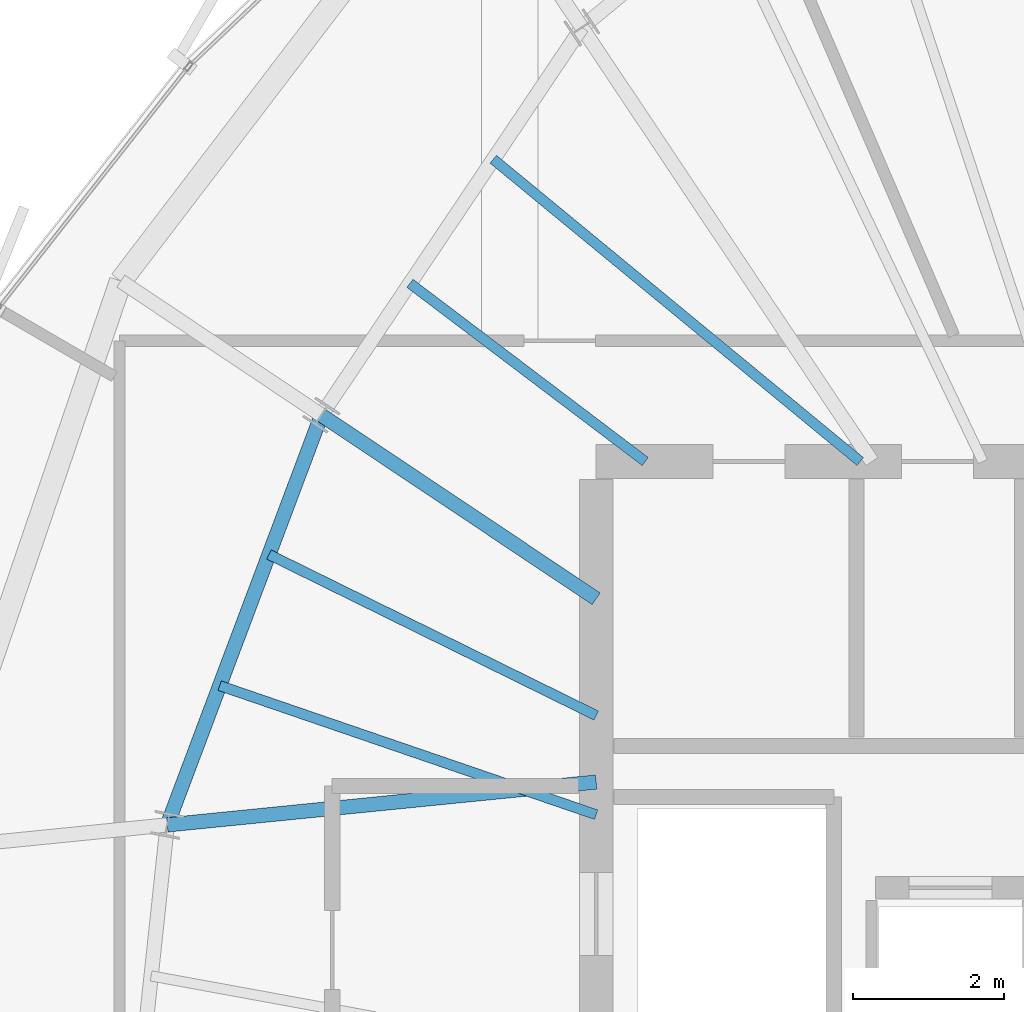
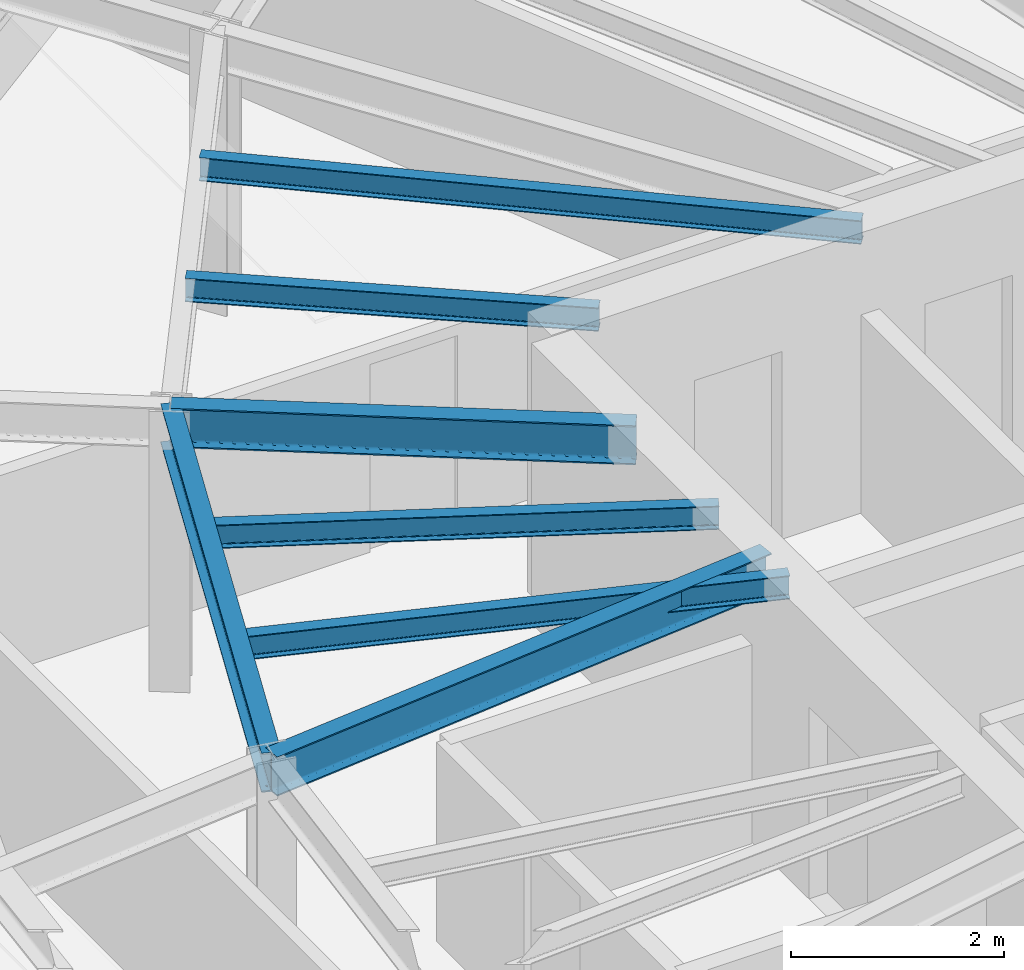
# One storey, part 12 of 36: 7 beams.
"""IFC4 building model written with IfcOpenShell, lengths in metres."""

from ifc_helpers import new_model, si_unit, direction, frame, origin, origin_2d, place, context, subcontext, project, spatial, i_section, extrude, source, transform, mapped, material, material_profile, profile_set, type_object, element, save


model = new_model("IFC4")

# Units and contexts
model_context = context("Model", 3, precision=1e-05, world=origin(), true_north=direction((0.0, 1.0)))
body_context = subcontext(model_context, "Body", "Model", "MODEL_VIEW")
ifc_project = project(units=[si_unit("LENGTHUNIT", "METRE"), si_unit("AREAUNIT", "SQUARE_METRE"), si_unit("VOLUMEUNIT", "CUBIC_METRE"), si_unit("PLANEANGLEUNIT", "RADIAN"), si_unit("MASSUNIT", "GRAM", prefix="KILO"), si_unit("THERMODYNAMICTEMPERATUREUNIT", "KELVIN")], contexts=[model_context])

# Site, building, storey
site_placement = place(None, origin())
site = spatial("IfcSite", under=ifc_project, at=site_placement, CompositionType="ELEMENT")
building_placement = place(site_placement, origin())
building = spatial("IfcBuilding", under=site, at=building_placement, Name="Kethvar Cultural Tower", CompositionType="ELEMENT")
storey_placement = place(building_placement, frame((0.0, 0.0, 228.39990234375)))
storey = spatial("IfcBuildingStorey", under=building, at=storey_placement, Name="L59", CompositionType="ELEMENT", Elevation=228.39990234375)

# Beams
ifc_material = material(Name="Steel S355J2", Category="steel")
ifc_material_profile_1 = material_profile(ifc_material, i_section(OverallWidth=0.18994140625, OverallDepth=0.449951171875, WebThickness=0.009521484375, FlangeThickness=0.0146484375, FilletRadius=0.02099609375, at=origin_2d()), Name="Steel S355J2 — IPE450")
ifc_profile_set_1 = profile_set([ifc_material_profile_1], Name="Steel S355J2 — IPE450")
beam_type_1 = type_object("IfcBeamType", Name="BM-IPE450", PredefinedType="BEAM", material=ifc_profile_set_1)
shared_shape_1 = source(origin(), body_context, "Body", "SweptSolid", [
    extrude(i_section(OverallWidth=0.18994140625, OverallDepth=0.449951171875, WebThickness=0.009521484375, FlangeThickness=0.0146484375, FilletRadius=0.02099609375, at=origin_2d()), origin(), (0.0, 0.0, 1.0), 4.3828125),
])
beam_1_placement = place(storey_placement, frame((38.0, 33.679931640625, 2.983154296875), z_axis=(-0.831449909861, 0.555599718676, 0.0), x_axis=(-0.555599718676, -0.831449909861, 0.0)))
element("IfcBeam", 1, at=beam_1_placement, inside=storey, type_object=beam_type_1, Name="L59 Primary Radial Beam RB-07", PredefinedType="BEAM", context=body_context, shape_type="MappedRepresentation", body=[
    mapped(shared_shape_1, transform((0.0, 0.0, 0.0), scale=1.0)),
])
shared_shape_2 = source(origin(), body_context, "Body", "SweptSolid", [
    extrude(i_section(OverallWidth=0.18994140625, OverallDepth=0.449951171875, WebThickness=0.009521484375, FlangeThickness=0.0146484375, FilletRadius=0.02099609375, at=origin_2d()), origin(), (0.0, 0.0, 1.0), 5.7158203125),
])
beam_2_placement = place(storey_placement, frame((38.0, 31.25, 2.983154296875), z_axis=(-0.995048179628, -0.099393763478, 0.0), x_axis=(0.099393763478, -0.995048179628, 0.0)))
element("IfcBeam", 2, at=beam_2_placement, inside=storey, type_object=beam_type_1, Name="L59 Primary Radial Beam RB-08", PredefinedType="BEAM", context=body_context, shape_type="MappedRepresentation", body=[
    mapped(shared_shape_2, transform((0.0, 0.0, 0.0), scale=1.0)),
])
ifc_material_profile_2 = material_profile(ifc_material, i_section(OverallWidth=0.135009765625, OverallDepth=0.27001953125, WebThickness=0.006591796875, FlangeThickness=0.01025390625, FilletRadius=0.014892578125, at=origin_2d()), Name="Steel S355J2 — IPE270")
ifc_profile_set_2 = profile_set([ifc_material_profile_2], Name="Steel S355J2 — IPE270")
beam_type_2 = type_object("IfcBeamType", Name="BM-J270", PredefinedType="JOIST", material=ifc_profile_set_2)
shared_shape_3 = source(origin(), body_context, "Body", "SweptSolid", [
    extrude(i_section(OverallWidth=0.135009765625, OverallDepth=0.27001953125, WebThickness=0.006591796875, FlangeThickness=0.01025390625, FilletRadius=0.014892578125, at=origin_2d()), origin(), (0.0, 0.0, 1.0), 6.302978515625),
])
beam_3_placement = place(storey_placement, frame((41.5, 35.5, 3.072998046875), z_axis=(-0.771828477148, 0.635830796567, 0.0), x_axis=(-0.635830796567, -0.771828477148, 0.0)))
element("IfcBeam", 3, at=beam_3_placement, inside=storey, type_object=beam_type_2, Name="L59 Composite Floor Joist J-06A", PredefinedType="JOIST", context=body_context, shape_type="MappedRepresentation", body=[
    mapped(shared_shape_3, transform((0.0, 0.0, 0.0), scale=1.0)),
])
shared_shape_4 = source(origin(), body_context, "Body", "SweptSolid", [
    extrude(i_section(OverallWidth=0.135009765625, OverallDepth=0.27001953125, WebThickness=0.006591796875, FlangeThickness=0.01025390625, FilletRadius=0.014892578125, at=origin_2d()), origin(), (0.0, 0.0, 1.0), 3.91357421875),
])
beam_4_placement = place(storey_placement, frame((38.64990234375, 35.5, 3.072998046875), z_axis=(-0.797214062325, 0.603696727531, 0.0), x_axis=(-0.603696727531, -0.797214062325, 0.0)))
element("IfcBeam", 4, at=beam_4_placement, inside=storey, type_object=beam_type_2, Name="L59 Composite Floor Joist J-06B", PredefinedType="JOIST", context=body_context, shape_type="MappedRepresentation", body=[
    mapped(shared_shape_4, transform((0.0, 0.0, 0.0), scale=1.0)),
])
shared_shape_5 = source(origin(), body_context, "Body", "SweptSolid", [
    extrude(i_section(OverallWidth=0.18994140625, OverallDepth=0.449951171875, WebThickness=0.009521484375, FlangeThickness=0.0146484375, FilletRadius=0.02099609375, at=origin_2d()), origin(), (0.0, 0.0, 1.0), 5.8046875),
])
beam_5_placement = place(storey_placement, frame((34.35595703125, 36.114990234375, 2.983154296875), z_axis=(-0.352035902861, -0.935986497283, 0.0), x_axis=(0.935986497283, -0.352035902861, 0.0)))
element("IfcBeam", 5, at=beam_5_placement, inside=storey, type_object=beam_type_1, Name="L59 Column Ring Tie Beam CR-07", PredefinedType="BEAM", context=body_context, shape_type="MappedRepresentation", body=[
    mapped(shared_shape_5, transform((0.0, 0.0, 0.0), scale=1.0)),
])
shared_shape_6 = source(origin(), body_context, "Body", "SweptSolid", [
    extrude(i_section(OverallWidth=0.135009765625, OverallDepth=0.27001953125, WebThickness=0.006591796875, FlangeThickness=0.01025390625, FilletRadius=0.014892578125, at=origin_2d()), origin(), (0.0, 0.0, 1.0), 4.8359375),
])
beam_6_placement = place(storey_placement, frame((38.0, 32.1318359375, 3.072998046875), z_axis=(-0.897196527088, 0.441631511308, 0.0), x_axis=(-0.441631511308, -0.897196527088, 0.0)))
element("IfcBeam", 6, at=beam_6_placement, inside=storey, type_object=beam_type_2, Name="L59 Composite Floor Joist J-07A", PredefinedType="JOIST", context=body_context, shape_type="MappedRepresentation", body=[
    mapped(shared_shape_6, transform((0.0, 0.0, 0.0), scale=1.0)),
])
shared_shape_7 = source(origin(), body_context, "Body", "SweptSolid", [
    extrude(i_section(OverallWidth=0.135009765625, OverallDepth=0.27001953125, WebThickness=0.006591796875, FlangeThickness=0.01025390625, FilletRadius=0.014892578125, at=origin_2d()), origin(), (0.0, 0.0, 1.0), 5.2783203125),
])
beam_7_placement = place(storey_placement, frame((38.0, 30.817138671875, 3.072998046875), z_axis=(-0.945942702368, 0.324333784607, 0.0), x_axis=(-0.324333784607, -0.945942702368, 0.0)))
element("IfcBeam", 7, at=beam_7_placement, inside=storey, type_object=beam_type_2, Name="L59 Composite Floor Joist J-07B", PredefinedType="JOIST", context=body_context, shape_type="MappedRepresentation", body=[
    mapped(shared_shape_7, transform((0.0, 0.0, 0.0), scale=1.0)),
])

save(model, "model.ifc")
